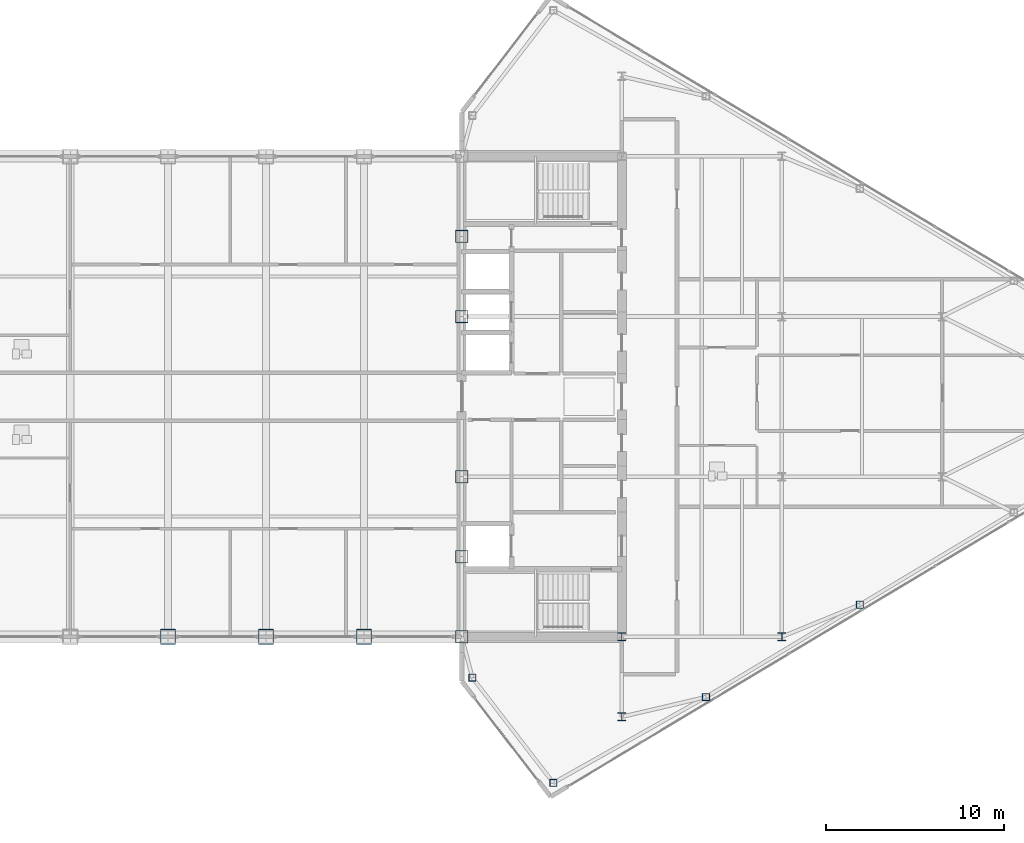
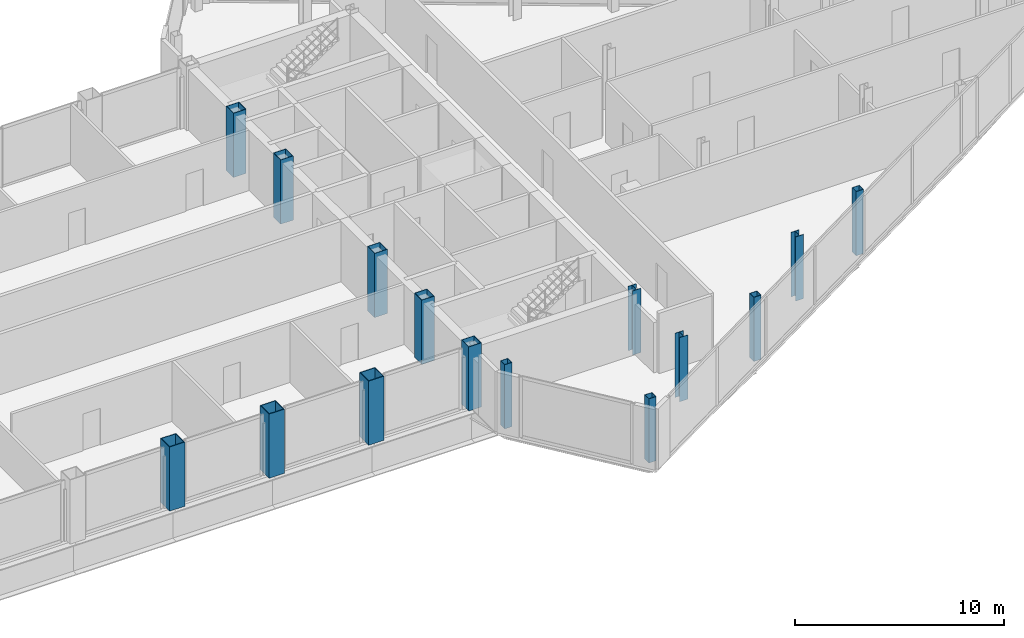
# One storey, part 4 of 29: 15 columns.
"""IFC4 building model written with IfcOpenShell, lengths in metres."""

from ifc_helpers import new_model, si_unit, direction, frame, origin, origin_2d, place, context, subcontext, project, spatial, hollow_rectangle, i_section, extrude, source, transform, mapped, material, material_profile, profile_set, type_object, type_shapes, element, save


model = new_model("IFC4")

# Units and contexts
model_context = context("Model", 3, precision=1e-05, world=origin(), true_north=direction((0.0, 1.0)))
body_context = subcontext(model_context, "Body", "Model", "MODEL_VIEW")
ifc_project = project(units=[si_unit("LENGTHUNIT", "METRE"), si_unit("AREAUNIT", "SQUARE_METRE"), si_unit("VOLUMEUNIT", "CUBIC_METRE"), si_unit("PLANEANGLEUNIT", "RADIAN"), si_unit("MASSUNIT", "GRAM", prefix="KILO")], contexts=[model_context])

# Site, building, storey
site_placement = place(None, origin())
site = spatial("IfcSite", under=ifc_project, at=site_placement, CompositionType="ELEMENT")
building_placement = place(site_placement, origin())
building = spatial("IfcBuilding", under=site, at=building_placement, Name="Seokmaru Belvedere", CompositionType="ELEMENT")
storey_placement = place(building_placement, frame((0.0, 0.0, 239.39990234375)))
storey = spatial("IfcBuildingStorey", under=building, at=storey_placement, Name="L63", CompositionType="ELEMENT", Elevation=239.39990234375)

# Columns
ifc_material_1 = material(Name="Steel SM355 (355 MPa)", Category="steel")
ifc_material_profile_1 = material_profile(ifc_material_1, hollow_rectangle(XDim=0.699951171875, YDim=0.699951171875, WallThickness=0.030029296875, at=origin_2d()), Name="BOX-700x700x30")
ifc_profile_set_1 = profile_set([ifc_material_profile_1], Name="Steel SM355 (355 MPa)")
column_type_1 = type_object("IfcColumnType", Name="Upper Spine Column BOX-700", PredefinedType="COLUMN", material=ifc_profile_set_1)
shared_shape_1 = source(origin(), body_context, "Body", "SweptSolid", [
    extrude(hollow_rectangle(XDim=0.699951171875, YDim=0.699951171875, WallThickness=0.030029296875, at=origin_2d()), origin(), (0.0, 0.0, 1.0), 3.75),
])
type_shapes(column_type_1, [shared_shape_1])
for number, where, z_axis, x_axis, name in (
    (1, (27.5, -13.5, 0.0), (0.0, 0.0, 1.0), (1.0, 0.0, 0.0), "L63 Column ES1"),
    (2, (27.5, -9.0, 0.0), (0.0, 0.0, 1.0), (1.0, 0.0, 0.0), "L63 Column ES2"),
    (3, (27.5, -4.5, 0.0), (0.0, 0.0, 1.0), (1.0, 0.0, 0.0), "L63 Column ES3"),
    (4, (27.5, 4.5, 0.0), (0.0, 0.0, 1.0), (1.0, 0.0, 0.0), "L63 Column ES4"),
    (5, (27.5, 9.0, 0.0), (0.0, 0.0, 1.0), (1.0, 0.0, 0.0), "L63 Column ES5"),
):
    element("IfcColumn", number, at=place(storey_placement, frame(where, z_axis=z_axis, x_axis=x_axis)), inside=storey, type_object=column_type_1, Name=name, PredefinedType="COLUMN", context=body_context, shape_type="MappedRepresentation", body=[
        mapped(shared_shape_1, transform((0.0, 0.0, 0.0), scale=1.0)),
    ])
ifc_material_profile_2 = material_profile(ifc_material_1, i_section(OverallWidth=0.449951171875, OverallDepth=0.449951171875, WebThickness=0.01611328125, FlangeThickness=0.02490234375, at=origin_2d()), Name="H-450x450x16x25")
ifc_profile_set_2 = profile_set([ifc_material_profile_2], Name="Steel SM355 (355 MPa)")
column_type_2 = type_object("IfcColumnType", Name="Sky-Gate Column H-450", PredefinedType="COLUMN", material=ifc_profile_set_2)
shared_shape_2 = source(origin(), body_context, "Body", "SweptSolid", [
    extrude(i_section(OverallWidth=0.449951171875, OverallDepth=0.449951171875, WebThickness=0.01611328125, FlangeThickness=0.02490234375, at=origin_2d()), origin(), (0.0, 0.0, 1.0), 3.75),
])
type_shapes(column_type_2, [shared_shape_2])
for number, where, z_axis, x_axis, name in (
    (6, (36.5, -18.0, 0.0), (0.0, 0.0, 1.0), (1.0, 0.0, 0.0), "L63 Column EC1"),
    (7, (36.5, -13.5, 0.0), (0.0, 0.0, 1.0), (1.0, 0.0, 0.0), "L63 Column EC2"),
    (8, (45.5, -13.5, 0.0), (0.0, 0.0, 1.0), (1.0, 0.0, 0.0), "L63 Column EG5_1"),
):
    element("IfcColumn", number, at=place(storey_placement, frame(where, z_axis=z_axis, x_axis=x_axis)), inside=storey, type_object=column_type_2, Name=name, PredefinedType="COLUMN", context=body_context, shape_type="MappedRepresentation", body=[
        mapped(shared_shape_2, transform((0.0, 0.0, 0.0), scale=1.0)),
    ])
ifc_material_profile_3 = material_profile(ifc_material_1, hollow_rectangle(XDim=0.39990234375, YDim=0.39990234375, WallThickness=0.01611328125, at=origin_2d()), Name="HSS-400x400x16")
ifc_profile_set_3 = profile_set([ifc_material_profile_3], Name="Steel SM355 (355 MPa)")
column_type_3 = type_object("IfcColumnType", Name="Perimeter Facet Column HSS-400", PredefinedType="COLUMN", material=ifc_profile_set_3)
shared_shape_3 = source(origin(), body_context, "Body", "SweptSolid", [
    extrude(hollow_rectangle(XDim=0.39990234375, YDim=0.39990234375, WallThickness=0.01611328125, at=origin_2d()), origin(), (0.0, 0.0, 1.0), 3.75),
])
type_shapes(column_type_3, [shared_shape_3])
for number, where, z_axis, x_axis, name in (
    (9, (32.649658203125, -21.71044921875, 0.0), (0.0, 0.0, 1.0), (1.0, 0.0, 0.0), "L63 Column EF1"),
    (10, (28.10009765625, -15.7958984375, 0.0), (0.0, 0.0, 1.0), (1.0, 0.0, 0.0), "L63 Column EF6"),
    (11, (41.229736328125, -16.888916015625, 0.0), (0.0, 0.0, 1.0), (1.0, 0.0, 0.0), "L63 Column EFLK_S1"),
    (12, (49.8798828125, -11.698974609375, 0.0), (0.0, 0.0, 1.0), (1.0, 0.0, 0.0), "L63 Column EFLK_S2"),
):
    element("IfcColumn", number, at=place(storey_placement, frame(where, z_axis=z_axis, x_axis=x_axis)), inside=storey, type_object=column_type_3, Name=name, PredefinedType="COLUMN", context=body_context, shape_type="MappedRepresentation", body=[
        mapped(shared_shape_3, transform((0.0, 0.0, 0.0), scale=1.0)),
    ])
ifc_material_2 = material(Name="Steel HSA650 (650 MPa)", Category="steel")
ifc_material_profile_4 = material_profile(ifc_material_2, hollow_rectangle(XDim=0.85009765625, YDim=0.85009765625, WallThickness=0.035888671875, at=origin_2d()), Name="BOX-850x850x36")
ifc_profile_set_4 = profile_set([ifc_material_profile_4], Name="Steel HSA650 (650 MPa)")
column_type_4 = type_object("IfcColumnType", Name="Portal Spine Column BOX-850", PredefinedType="COLUMN", material=ifc_profile_set_4)
shared_shape_4 = source(origin(), body_context, "Body", "SweptSolid", [
    extrude(hollow_rectangle(XDim=0.85009765625, YDim=0.85009765625, WallThickness=0.035888671875, at=origin_2d()), origin(), (0.0, 0.0, 1.0), 3.75),
])
type_shapes(column_type_4, [shared_shape_4])
for number, where, z_axis, x_axis, name in (
    (13, (11.0, -13.5, 0.0), (0.0, 0.0, 1.0), (1.0, 0.0, 0.0), "L63 Column BRS_7"),
    (14, (16.5, -13.5, 0.0), (0.0, 0.0, 1.0), (1.0, 0.0, 0.0), "L63 Column BRS_8"),
    (15, (22.0, -13.5, 0.0), (0.0, 0.0, 1.0), (1.0, 0.0, 0.0), "L63 Column BRS_9"),
):
    element("IfcColumn", number, at=place(storey_placement, frame(where, z_axis=z_axis, x_axis=x_axis)), inside=storey, type_object=column_type_4, Name=name, PredefinedType="COLUMN", context=body_context, shape_type="MappedRepresentation", body=[
        mapped(shared_shape_4, transform((0.0, 0.0, 0.0), scale=1.0)),
    ])

save(model, "model.ifc")
